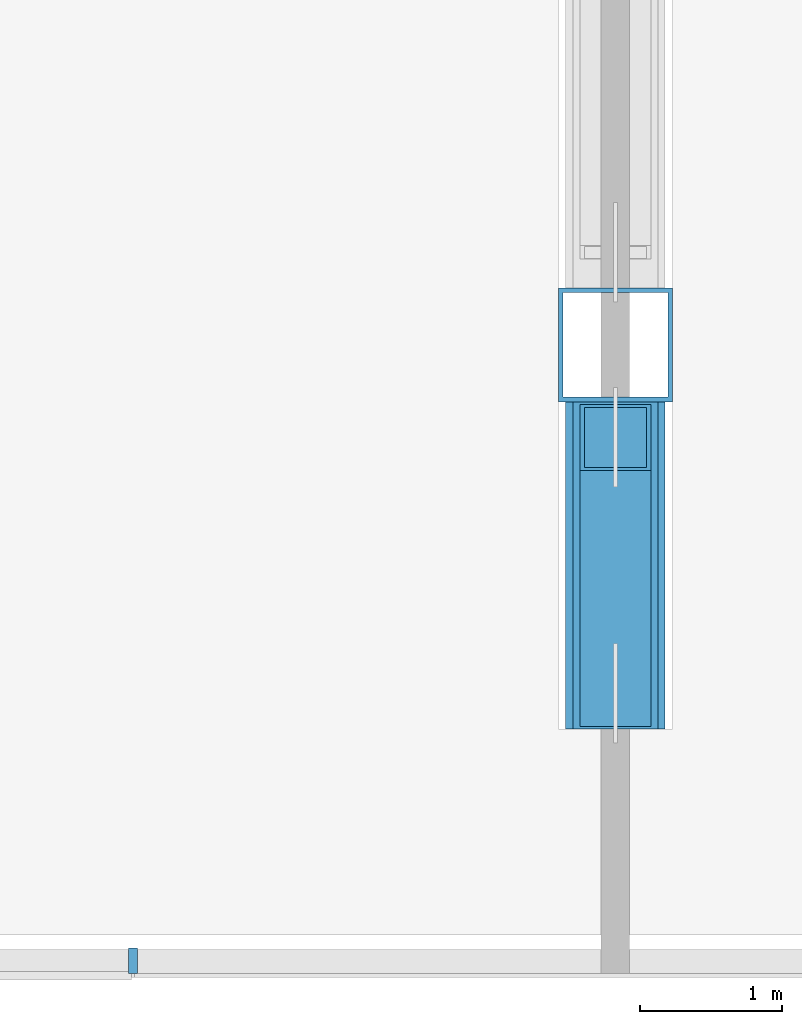
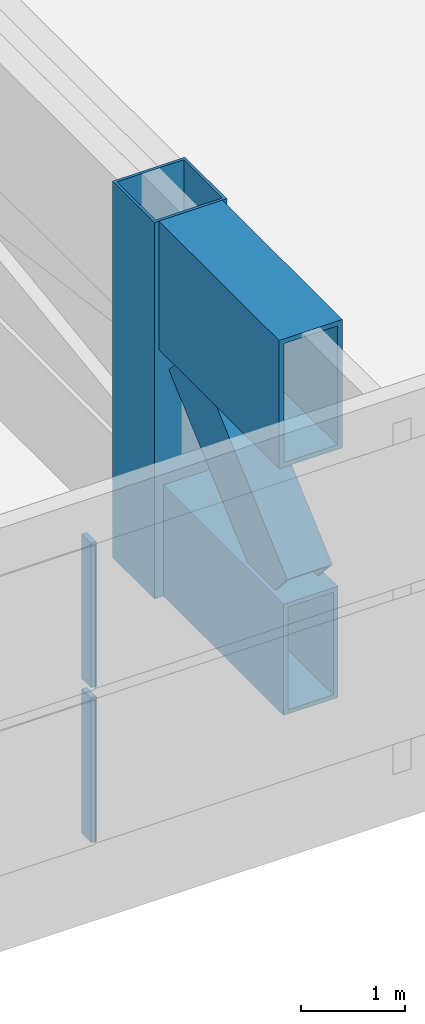
# One storey, part 5 of 31: 6 members, 1 element without a shape of its own.
"""IFC4 building model written with IfcOpenShell, lengths in metres."""

from ifc_helpers import new_model, si_unit, direction, frame, origin, origin_2d, place, context, subcontext, project, spatial, rectangle, hollow_rectangle, extrude, material, layer, layer_set, material_profile, profile_set, type_object, element, aggregate, save


model = new_model("IFC4")

# Units and contexts
model_context = context("Model", 3, precision=1e-05, world=origin(), true_north=direction((0.0, 1.0)))
body_context = subcontext(model_context, "Body", "Model", "MODEL_VIEW")
ifc_project = project(units=[si_unit("LENGTHUNIT", "METRE"), si_unit("AREAUNIT", "SQUARE_METRE"), si_unit("VOLUMEUNIT", "CUBIC_METRE"), si_unit("PLANEANGLEUNIT", "RADIAN"), si_unit("MASSUNIT", "GRAM", prefix="KILO")], contexts=[model_context])

# Site, building, storey
site_placement = place(None, origin())
site = spatial("IfcSite", under=ifc_project, at=site_placement, CompositionType="ELEMENT")
building_placement = place(site_placement, origin())
building = spatial("IfcBuilding", under=site, at=building_placement, Name="Hakoniwa Tower and Hamabe Station Hall", CompositionType="ELEMENT")
storey_placement = place(building_placement, frame((0.0, 0.0, 120.199951171875)))
storey = spatial("IfcBuildingStorey", under=building, at=storey_placement, Name="L34", CompositionType="ELEMENT", Elevation=120.199951171875)

# Curtain wall, members
ifc_material_1 = material(Name="Dark low-e laminated glass", Category="glass")
ifc_layer = layer(ifc_material_1, 0.199951171875)
ifc_layer_set = layer_set([ifc_layer], Name="CW-6 PLANT LOUVRE")
curtain_wall_type = type_object("IfcCurtainWallType", Name="CW-6 PLANT LOUVRE", PredefinedType="NOTDEFINED", material=ifc_layer_set)
curtain_wall_placement = place(storey_placement, origin())
curtain_wall = element("IfcCurtainWall", 1, at=curtain_wall_placement, inside=storey, type_object=curtain_wall_type, Name="CW-6 curtain wall", PredefinedType="NOTDEFINED")
ifc_material_2 = material(Name="Aluminium 6063-T5 black anodised", Category="aluminium")
ifc_material_profile_1 = material_profile(ifc_material_2, rectangle(XDim=0.06005859375, YDim=0.179931640625, at=origin_2d()), Name="CW-1 MULLION 60X180")
ifc_profile_set_1 = profile_set([ifc_material_profile_1], Name="Aluminium 6063-T5 black anodised")
member_type_1 = type_object("IfcMemberType", Name="CW-1 MULLION 60X180", PredefinedType="MULLION", material=ifc_profile_set_1)
member_1_placement = place(storey_placement, frame((-11.79248046875, -19.181884765625, 0.35009765625), z_axis=(0.0, 0.0, 1.0), x_axis=(1.0, 0.0, 0.0)))
member_1 = element("IfcMember", 2, at=member_1_placement, type_object=member_type_1, Name="CW-6 mullion", PredefinedType="MULLION", context=body_context, shape_type="SweptSolid", body=[
    extrude(rectangle(XDim=0.06005859375, YDim=0.179931640625, at=origin_2d()), origin(), (0.0, 0.0, 1.0), 1.68994140625),
])
member_2_placement = place(storey_placement, frame((-11.79248046875, -19.181884765625, 2.16015625), z_axis=(0.0, 0.0, 1.0), x_axis=(1.0, 0.0, 0.0)))
member_2 = element("IfcMember", 3, at=member_2_placement, type_object=member_type_1, Name="CW-6 mullion", PredefinedType="MULLION", context=body_context, shape_type="SweptSolid", body=[
    extrude(rectangle(XDim=0.06005859375, YDim=0.179931640625, at=origin_2d()), origin(), (0.0, 0.0, 1.0), 1.68994140625),
])
aggregate(curtain_wall, [member_1, member_2])

# Members
ifc_material_3 = material(Name="Steel SN490C", Category="steel")
ifc_material_profile_2 = material_profile(ifc_material_3, hollow_rectangle(XDim=0.60009765625, YDim=1.300048828125, WallThickness=0.050048828125, at=origin_2d()), Name="BX-1300x600x50")
ifc_profile_set_2 = profile_set([ifc_material_profile_2], Name="Steel SN490C")
member_type_2 = type_object("IfcMemberType", Name="TRUSS CHORD BX-1300x600x50", PredefinedType="CHORD", material=ifc_profile_set_2)
member_3_placement = place(storey_placement, frame((-8.39990234375, -17.550048828125, 0.35009765625), z_axis=(0.0, 1.0, 0.0), x_axis=(-1.0, 0.0, 0.0)))
element("IfcMember", 4, at=member_3_placement, inside=storey, type_object=member_type_2, Name="Truss T2-11-BCL", PredefinedType="CHORD", context=body_context, shape_type="SweptSolid", body=[
    extrude(hollow_rectangle(XDim=0.60009765625, YDim=1.300048828125, WallThickness=0.050048828125, at=origin_2d()), origin(), (0.0, 0.0, 1.0), 2.300048828125),
])
ifc_material_4 = material(Name="Steel SN490C", Category="steel")
ifc_material_profile_3 = material_profile(ifc_material_4, hollow_rectangle(XDim=0.699951171875, YDim=1.5, WallThickness=0.054931640625, at=origin_2d()), Name="BX-1500x700x55")
ifc_profile_set_3 = profile_set([ifc_material_profile_3], Name="Steel SN490C")
member_type_3 = type_object("IfcMemberType", Name="TRUSS CHORD BX-1500x700x55", PredefinedType="CHORD", material=ifc_profile_set_3)
member_4_placement = place(storey_placement, frame((-8.39990234375, -17.550048828125, 3.35009765625), z_axis=(0.0, 1.0, 0.0), x_axis=(-1.0, 0.0, 0.0)))
element("IfcMember", 5, at=member_4_placement, inside=storey, type_object=member_type_3, Name="Truss T2-11-TCL", PredefinedType="CHORD", context=body_context, shape_type="SweptSolid", body=[
    extrude(hollow_rectangle(XDim=0.699951171875, YDim=1.5, WallThickness=0.054931640625, at=origin_2d()), origin(), (0.0, 0.0, 1.0), 2.300048828125),
])
ifc_material_5 = material(Name="Steel SN490C", Category="steel")
ifc_material_profile_4 = material_profile(ifc_material_5, hollow_rectangle(XDim=0.5, YDim=0.699951171875, WallThickness=0.031982421875, at=origin_2d()), Name="BX-700x500x32")
ifc_profile_set_4 = profile_set([ifc_material_profile_4], Name="Steel SN490C")
member_type_4 = type_object("IfcMemberType", Name="TRUSS DIAGONAL BX-700x500x32", PredefinedType="BRACE", material=ifc_profile_set_4)
member_5_placement = place(storey_placement, frame((-8.39990234375, -17.300048828125, 1.0), z_axis=(0.0, 0.747398132966, 0.664376422549), x_axis=(-1.0, 0.0, 0.0)))
element("IfcMember", 6, at=member_5_placement, inside=storey, type_object=member_type_4, Name="Truss T2-11-DLa", PredefinedType="BRACE", context=body_context, shape_type="SweptSolid", body=[
    extrude(hollow_rectangle(XDim=0.5, YDim=0.699951171875, WallThickness=0.031982421875, at=origin_2d()), origin(), (0.0, 0.0, 1.0), 2.408447265625),
])
ifc_material_6 = material(Name="Steel SN490C", Category="steel")
ifc_material_profile_5 = material_profile(ifc_material_6, hollow_rectangle(XDim=0.800048828125, YDim=0.800048828125, WallThickness=0.031982421875, at=origin_2d()), Name="BX-800x800x32")
ifc_profile_set_5 = profile_set([ifc_material_profile_5], Name="Steel SN490C")
member_type_5 = type_object("IfcMemberType", Name="TRUSS POST BX-800x800x32", PredefinedType="POST", material=ifc_profile_set_5)
member_6_placement = place(storey_placement, frame((-8.39990234375, -14.85009765625, -0.300048828125), z_axis=(0.0, 0.0, 1.0), x_axis=(1.0, 0.0, 0.0)))
element("IfcMember", 7, at=member_6_placement, inside=storey, type_object=member_type_5, Name="Truss T2-11-P01", PredefinedType="POST", context=body_context, shape_type="SweptSolid", body=[
    extrude(hollow_rectangle(XDim=0.800048828125, YDim=0.800048828125, WallThickness=0.031982421875, at=origin_2d()), origin(), (0.0, 0.0, 1.0), 4.400146484375),
])

save(model, "model.ifc")
